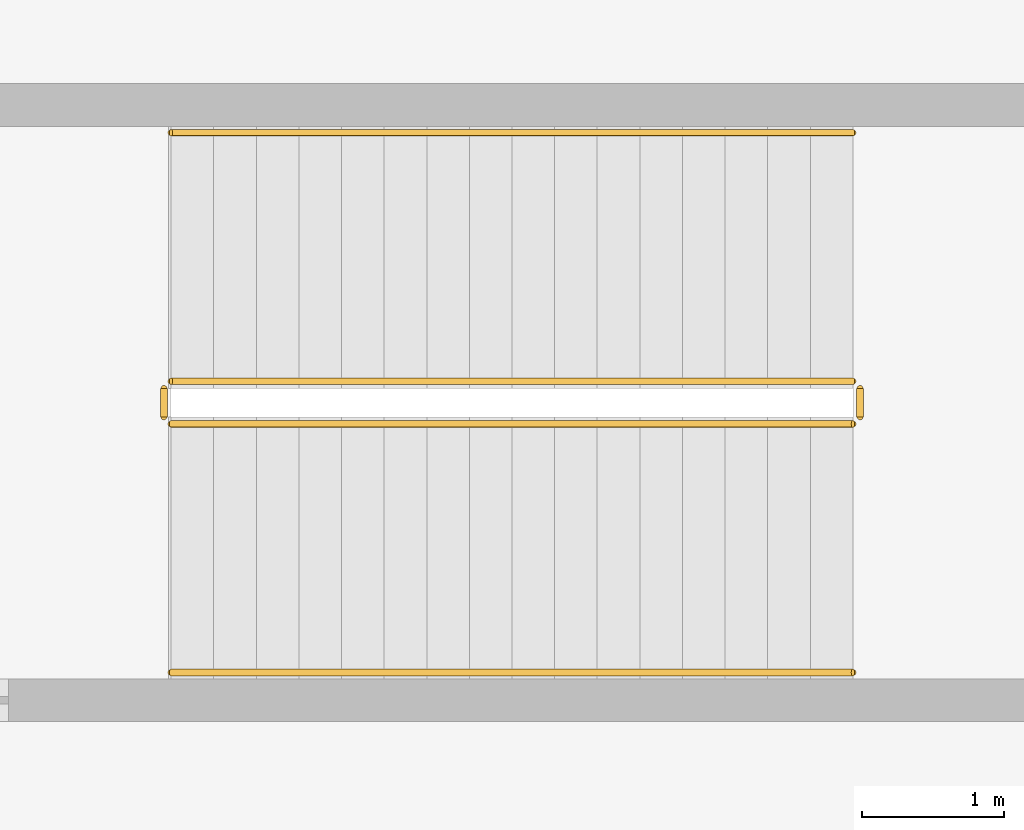
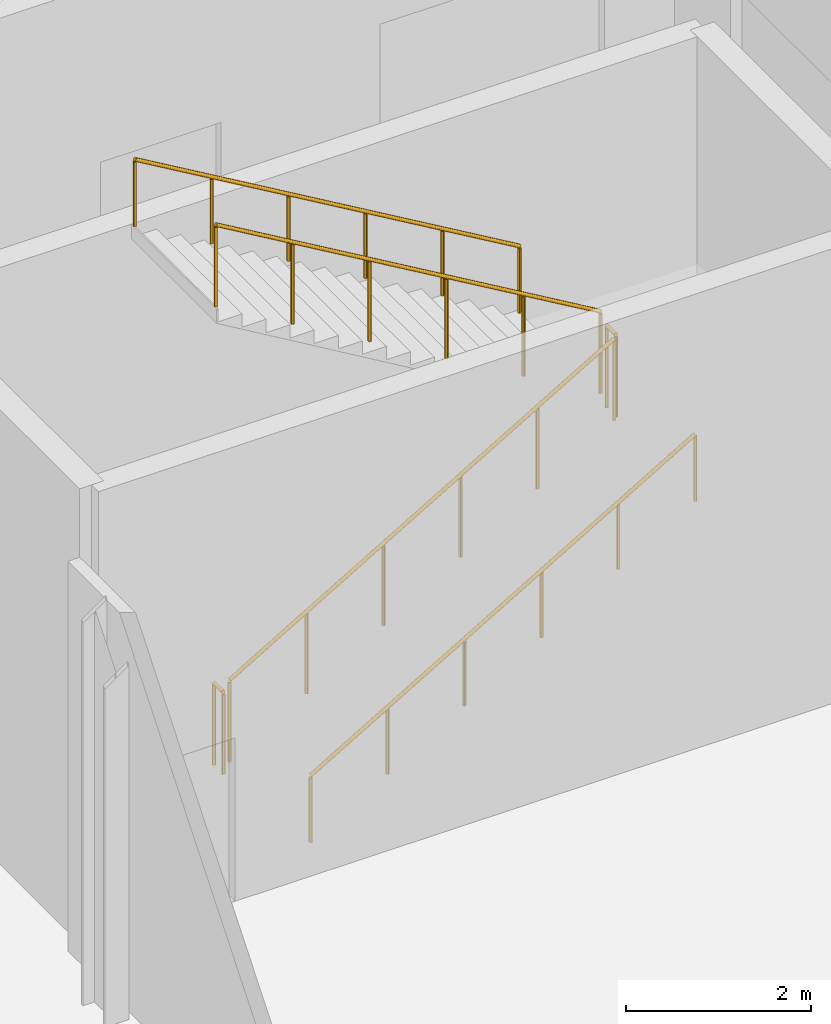
# One storey, part 188 of 191: 6 railings.
"""IFC4 building model written with IfcOpenShell, lengths in metres."""

from ifc_helpers import new_model, si_unit, direction, frame, origin, origin_2d, place, context, subcontext, project, spatial, circle, extrude, material, type_object, element, save


model = new_model("IFC4")

# Units and contexts
model_context = context("Model", 3, precision=1e-05, world=origin(), true_north=direction((0.0, 1.0)))
body_context = subcontext(model_context, "Body", "Model", "MODEL_VIEW")
ifc_project = project(units=[si_unit("LENGTHUNIT", "METRE"), si_unit("AREAUNIT", "SQUARE_METRE"), si_unit("VOLUMEUNIT", "CUBIC_METRE"), si_unit("PLANEANGLEUNIT", "RADIAN"), si_unit("MASSUNIT", "GRAM", prefix="KILO")], contexts=[model_context])

# Site, building, storey
site_placement = place(None, origin())
site = spatial("IfcSite", under=ifc_project, at=site_placement, CompositionType="ELEMENT")
building_placement = place(site_placement, origin())
building = spatial("IfcBuilding", under=site, at=building_placement, Name="Tamarisk Ironworks Central Station", CompositionType="ELEMENT")
storey_placement = place(building_placement, frame((0.0, 0.0, 6.60009765625)))
storey = spatial("IfcBuildingStorey", under=building, at=storey_placement, Name="L01", CompositionType="ELEMENT", Elevation=6.60009765625)

# Railings
ifc_material = material(Name="Brushed stainless steel AISI 316", Category="steel")
railing_type_1 = type_object("IfcRailingType", Name="RL-GUARD-INT", PredefinedType="BALUSTRADE", material=ifc_material)
railing_1_placement = place(storey_placement, frame((169.89990234375, 14.0, 0.17626953125)))
element("IfcRailing", 1, at=railing_1_placement, inside=storey, type_object=railing_type_1, Name="L01 ST-C7 stair guard 1", PredefinedType="BALUSTRADE", context=body_context, shape_type="SweptSolid", body=[
    extrude(circle(Radius=0.02392578125, at=origin_2d()), frame((0.0, 0.0, 1.076171875), z_axis=(0.861920691219, 0.0, 0.507043116558), x_axis=(0.0, 1.0, 0.0)), (0.0, 0.0, 1.0), 5.569091796875),
    extrude(circle(Radius=0.02099609375, at=origin_2d()), origin(), (0.0, 0.0, 1.0), 1.052001953125),
    extrude(circle(Radius=0.02099609375, at=origin_2d()), frame((0.9599609375, 0.0, 0.564697265625)), (0.0, 0.0, 1.0), 1.052001953125),
    extrude(circle(Radius=0.02099609375, at=origin_2d()), frame((1.919921875, 0.0, 1.12939453125)), (0.0, 0.0, 1.0), 1.052001953125),
    extrude(circle(Radius=0.02099609375, at=origin_2d()), frame((2.880126953125, 0.0, 1.6943359375)), (0.0, 0.0, 1.0), 1.052001953125),
    extrude(circle(Radius=0.02099609375, at=origin_2d()), frame((3.840087890625, 0.0, 2.259033203125)), (0.0, 0.0, 1.0), 1.052001953125),
    extrude(circle(Radius=0.02099609375, at=origin_2d()), frame((4.800048828125, 0.0, 2.82373046875)), (0.0, 0.0, 1.0), 1.052001953125),
])
railing_2_placement = place(storey_placement, frame((174.75, 14.050048828125, 3.0)))
element("IfcRailing", 2, at=railing_2_placement, inside=storey, type_object=railing_type_1, Name="L01 ST-C7 stair guard 2", PredefinedType="BALUSTRADE", context=body_context, shape_type="SweptSolid", body=[
    extrude(circle(Radius=0.02392578125, at=origin_2d()), frame((0.0, 0.0, 1.076171875), z_axis=(0.0, 1.0, 0.0), x_axis=(-1.0, 0.0, 0.0)), (0.0, 0.0, 1.0), 0.199951171875),
    extrude(circle(Radius=0.02099609375, at=origin_2d()), origin(), (0.0, 0.0, 1.0), 1.052001953125),
    extrude(circle(Radius=0.02099609375, at=origin_2d()), frame((0.0, 0.199951171875, 0.0)), (0.0, 0.0, 1.0), 1.052001953125),
])
railing_3_placement = place(storey_placement, frame((174.699951171875, 14.300048828125, 3.17626953125)))
element("IfcRailing", 3, at=railing_3_placement, inside=storey, type_object=railing_type_1, Name="L01 ST-C7 stair guard 3", PredefinedType="BALUSTRADE", context=body_context, shape_type="SweptSolid", body=[
    extrude(circle(Radius=0.02392578125, at=origin_2d()), frame((0.0, 0.0, 1.076171875), z_axis=(-0.861920691219, 0.0, 0.507043116558), x_axis=(0.0, -1.0, 0.0)), (0.0, 0.0, 1.0), 5.569091796875),
    extrude(circle(Radius=0.02099609375, at=origin_2d()), origin(), (0.0, 0.0, 1.0), 1.052001953125),
    extrude(circle(Radius=0.02099609375, at=origin_2d()), frame((-0.9599609375, 0.0, 0.564697265625)), (0.0, 0.0, 1.0), 1.052001953125),
    extrude(circle(Radius=0.02099609375, at=origin_2d()), frame((-1.919921875, 0.0, 1.12939453125)), (0.0, 0.0, 1.0), 1.052001953125),
    extrude(circle(Radius=0.02099609375, at=origin_2d()), frame((-2.880126953125, 0.0, 1.6943359375)), (0.0, 0.0, 1.0), 1.052001953125),
    extrude(circle(Radius=0.02099609375, at=origin_2d()), frame((-3.840087890625, 0.0, 2.259033203125)), (0.0, 0.0, 1.0), 1.052001953125),
    extrude(circle(Radius=0.02099609375, at=origin_2d()), frame((-4.800048828125, 0.0, 2.82373046875)), (0.0, 0.0, 1.0), 1.052001953125),
])
railing_4_placement = place(storey_placement, frame((169.85009765625, 14.050048828125, 0.0)))
element("IfcRailing", 4, at=railing_4_placement, inside=storey, type_object=railing_type_1, Name="L01 ST-C7 stair guard 4", PredefinedType="BALUSTRADE", context=body_context, shape_type="SweptSolid", body=[
    extrude(circle(Radius=0.02392578125, at=origin_2d()), frame((0.0, 0.0, 1.076171875), z_axis=(0.0, 1.0, 0.0), x_axis=(-1.0, 0.0, 0.0)), (0.0, 0.0, 1.0), 0.199951171875),
    extrude(circle(Radius=0.02099609375, at=origin_2d()), origin(), (0.0, 0.0, 1.0), 1.052001953125),
    extrude(circle(Radius=0.02099609375, at=origin_2d()), frame((0.0, 0.199951171875, 0.0)), (0.0, 0.0, 1.0), 1.052001953125),
])
railing_type_2 = type_object("IfcRailingType", Name="RL-HAND", PredefinedType="HANDRAIL", material=ifc_material)
railing_5_placement = place(storey_placement, frame((169.89990234375, 12.25, 0.17626953125)))
element("IfcRailing", 5, at=railing_5_placement, inside=storey, type_object=railing_type_2, Name="L01 ST-C7 stair handrail 1", PredefinedType="HANDRAIL", context=body_context, shape_type="SweptSolid", body=[
    extrude(circle(Radius=0.02392578125, at=origin_2d()), frame((0.0, 0.0, 0.8759765625), z_axis=(0.861920691219, 0.0, 0.507043116558), x_axis=(0.0, 1.0, 0.0)), (0.0, 0.0, 1.0), 5.569091796875),
    extrude(circle(Radius=0.02099609375, at=origin_2d()), origin(), (0.0, 0.0, 1.0), 0.851806640625),
    extrude(circle(Radius=0.02099609375, at=origin_2d()), frame((0.9599609375, 0.0, 0.564697265625)), (0.0, 0.0, 1.0), 0.851806640625),
    extrude(circle(Radius=0.02099609375, at=origin_2d()), frame((1.919921875, 0.0, 1.12939453125)), (0.0, 0.0, 1.0), 0.851806640625),
    extrude(circle(Radius=0.02099609375, at=origin_2d()), frame((2.880126953125, 0.0, 1.6943359375)), (0.0, 0.0, 1.0), 0.851806640625),
    extrude(circle(Radius=0.02099609375, at=origin_2d()), frame((3.840087890625, 0.0, 2.259033203125)), (0.0, 0.0, 1.0), 0.851806640625),
    extrude(circle(Radius=0.02099609375, at=origin_2d()), frame((4.800048828125, 0.0, 2.82373046875)), (0.0, 0.0, 1.0), 0.851806640625),
])
railing_6_placement = place(storey_placement, frame((174.699951171875, 16.050048828125, 3.17626953125)))
element("IfcRailing", 6, at=railing_6_placement, inside=storey, type_object=railing_type_2, Name="L01 ST-C7 stair handrail 2", PredefinedType="HANDRAIL", context=body_context, shape_type="SweptSolid", body=[
    extrude(circle(Radius=0.02392578125, at=origin_2d()), frame((0.0, 0.0, 0.8759765625), z_axis=(-0.861920691219, 0.0, 0.507043116558), x_axis=(0.0, -1.0, 0.0)), (0.0, 0.0, 1.0), 5.569091796875),
    extrude(circle(Radius=0.02099609375, at=origin_2d()), origin(), (0.0, 0.0, 1.0), 0.851806640625),
    extrude(circle(Radius=0.02099609375, at=origin_2d()), frame((-0.9599609375, 0.0, 0.564697265625)), (0.0, 0.0, 1.0), 0.851806640625),
    extrude(circle(Radius=0.02099609375, at=origin_2d()), frame((-1.919921875, 0.0, 1.12939453125)), (0.0, 0.0, 1.0), 0.851806640625),
    extrude(circle(Radius=0.02099609375, at=origin_2d()), frame((-2.880126953125, 0.0, 1.6943359375)), (0.0, 0.0, 1.0), 0.851806640625),
    extrude(circle(Radius=0.02099609375, at=origin_2d()), frame((-3.840087890625, 0.0, 2.259033203125)), (0.0, 0.0, 1.0), 0.851806640625),
    extrude(circle(Radius=0.02099609375, at=origin_2d()), frame((-4.800048828125, 0.0, 2.82373046875)), (0.0, 0.0, 1.0), 0.851806640625),
])

save(model, "model.ifc")
